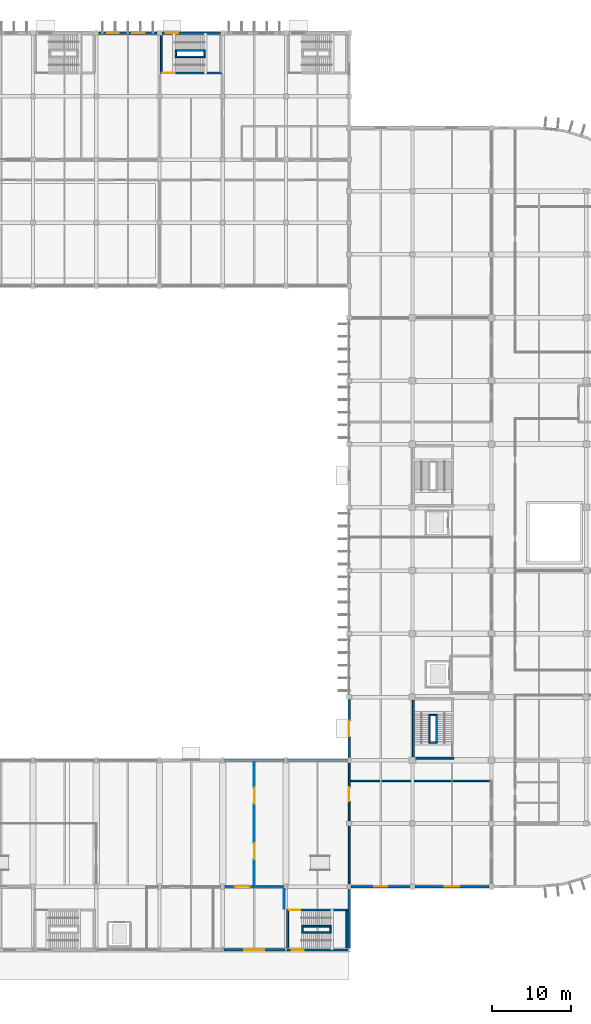
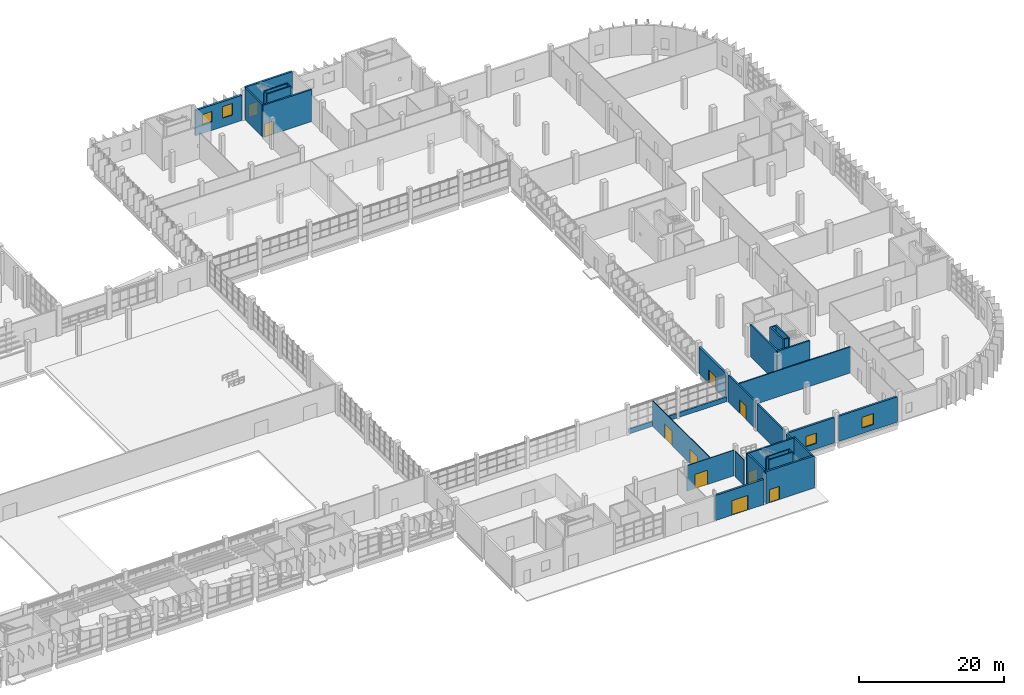
# One storey, part 79 of 103: 35 walls, 10 doors, 4 windows, 14 openings.
"""IFC4 building model written with IfcOpenShell, lengths in metres."""

from ifc_helpers import new_model, si_unit, direction, frame, frame_2d, origin, place, context, subcontext, project, spatial, rectangle, extrude, material, layer, layer_set, type_object, element, fill, save


model = new_model("IFC4")

# Units and contexts
model_context = context("Model", 3, precision=1e-05, world=origin(), true_north=direction((0.0, 1.0)))
body_context = subcontext(model_context, "Body", "Model", "MODEL_VIEW")
ifc_project = project(units=[si_unit("LENGTHUNIT", "METRE"), si_unit("AREAUNIT", "SQUARE_METRE"), si_unit("VOLUMEUNIT", "CUBIC_METRE"), si_unit("PLANEANGLEUNIT", "RADIAN"), si_unit("MASSUNIT", "GRAM", prefix="KILO")], contexts=[model_context])

# Site, building, storey
site_placement = place(None, origin())
site = spatial("IfcSite", under=ifc_project, at=site_placement, CompositionType="ELEMENT")
building_placement = place(site_placement, origin())
building = spatial("IfcBuilding", under=site, at=building_placement, Name="Drelvana Railside Aquatics Centre", CompositionType="ELEMENT")
storey_placement = place(building_placement, origin())
storey = spatial("IfcBuildingStorey", under=building, at=storey_placement, Name="L00", CompositionType="ELEMENT", Elevation=0.0)

# Walls
ifc_material_1 = material(Name="Concrete blockwork compartment wall", Category="masonry")
ifc_layer_1 = layer(ifc_material_1, 0.18505859375, Name="Concrete blockwork compartment wall")
ifc_layer_set_1 = layer_set([ifc_layer_1], Name="Concrete blockwork compartment wall")
wall_type_1 = type_object("IfcWallType", Name="WL-COMP-185", PredefinedType="STANDARD", material=ifc_layer_set_1)
wall_1_placement = place(storey_placement, frame((144.14990234375, 21.39990234375, 0.0), z_axis=(0.0, 0.0, 1.0), x_axis=(1.0, 0.0, 0.0)))
element("IfcWall", 1, at=wall_1_placement, inside=storey, type_object=wall_type_1, Name="L00 West exit passage S wall", PredefinedType="STANDARD", context=body_context, shape_type="SweptSolid", body=[
    extrude(rectangle(XDim=17.85009765625, YDim=0.18505859375, at=frame_2d((8.925048828125, 0.0))), origin(), (0.0, 0.0, 1.0), 4.405029296875),
])
ifc_material_2 = material(Name="Autoclaved aerated concrete masonry", Category="masonry")
ifc_layer_2 = layer(ifc_material_2, 0.22509765625, Name="Autoclaved aerated concrete masonry")
ifc_layer_set_2 = layer_set([ifc_layer_2], Name="Autoclaved aerated concrete masonry")
wall_type_2 = type_object("IfcWallType", Name="WL-COMP-225", PredefinedType="STANDARD", material=ifc_layer_set_2)
wall_2_placement = place(storey_placement, frame((144.0, 8.326904296875, 0.0), z_axis=(0.0, 0.0, 1.0), x_axis=(0.0, 1.0, 0.0)))
element("IfcWall", 2, at=wall_2_placement, inside=storey, type_object=wall_type_2, Name="L00 Foyer-Wing compartment wall", PredefinedType="STANDARD", context=body_context, shape_type="SweptSolid", body=[
    extrude(rectangle(XDim=7.34619140625, YDim=0.22509765625, at=frame_2d((3.673095703125, 0.0))), origin(), (0.0, 0.0, 1.0), 4.554931640625),
])

# Wall, opening, door
wall_3_placement = place(storey_placement, frame((144.0, 16.326904296875, 0.0), z_axis=(0.0, 0.0, 1.0), x_axis=(0.0, 1.0, 0.0)))
wall_3 = element("IfcWall", 3, at=wall_3_placement, inside=storey, type_object=wall_type_2, Name="L00 Foyer-Wing compartment wall", PredefinedType="STANDARD", context=body_context, shape_type="SweptSolid", body=[
    extrude(rectangle(XDim=7.34619140625, YDim=0.22509765625, at=frame_2d((3.673095703125, 0.0))), origin(), (0.0, 0.0, 1.0), 4.554931640625),
])
opening_1_placement = place(wall_3_placement, frame((2.472900390625, 0.0, 0.0)))
opening_1 = element("IfcOpeningElement", 4, at=opening_1_placement, cuts=wall_3, Name="Opening D-05-103", PredefinedType="OPENING", context=body_context, shape_type="SweptSolid", body=[
    extrude(rectangle(XDim=1.800048828125, YDim=2.300048828125, at=frame_2d((0.89990234375, 1.14990234375))), frame((0.0, 0.12255859375, 0.0), z_axis=(0.0, -1.0, 0.0), x_axis=(1.0, 0.0, 0.0)), (0.0, 0.0, 1.0), 0.2451171875),
])
ifc_material_3 = material(Name="Corridor compartment double door", Category="wood")
door_type_1 = type_object("IfcDoorType", Name="DR-INT-COMP-1800x2300", OperationType="DOUBLE_DOOR_SINGLE_SWING", PredefinedType="DOOR", material=ifc_material_3)
door_1_placement = place(opening_1_placement, origin())
door_1 = element("IfcDoor", 5, at=door_1_placement, inside=storey, type_object=door_type_1, Name="L00 Foyer to Wing link door D-05-103", OperationType="DOUBLE_DOOR_SINGLE_SWING", OverallHeight=2.300048828125, OverallWidth=1.800048828125, PredefinedType="DOOR", context=body_context, shape_type="SweptSolid", body=[
    extrude(rectangle(XDim=1.800048828125, YDim=2.300048828125, at=frame_2d((0.89990234375, 1.14990234375))), frame((0.0, 0.02490234375, 0.0), z_axis=(0.0, -1.0, 0.0), x_axis=(1.0, 0.0, 0.0)), (0.0, 0.0, 1.0), 0.050048828125),
])
fill(opening_1, door_1)

ifc_material_4 = material(Name="Concrete C40/50", Category="concrete")
ifc_layer_3 = layer(ifc_material_4, 0.25, Name="Concrete C40/50")
ifc_layer_set_3 = layer_set([ifc_layer_3], Name="Concrete C40/50")
wall_type_3 = type_object("IfcWallType", Name="WL-CORE-250", PredefinedType="SHEAR", material=ifc_layer_set_3)
wall_4_placement = place(storey_placement, frame((120.10009765625, 110.925048828125, 0.0), z_axis=(0.0, 0.0, 1.0), x_axis=(1.0, 0.0, 0.0)))
wall_4 = element("IfcWall", 6, at=wall_4_placement, inside=storey, type_object=wall_type_3, Name="Core 5 Changing Pavilion North S core wall (L00)", PredefinedType="SHEAR", context=body_context, shape_type="SweptSolid", body=[
    extrude(rectangle(XDim=7.7998046875, YDim=0.25, at=frame_2d((3.89990234375, 0.0))), origin(), (0.0, 0.0, 1.0), 5.39990234375),
])
opening_2_placement = place(wall_4_placement, frame((0.25, 0.0, 0.0)))
opening_2 = element("IfcOpeningElement", 7, at=opening_2_placement, cuts=wall_4, Name="Opening D-01-032", PredefinedType="OPENING", context=body_context, shape_type="SweptSolid", body=[
    extrude(rectangle(XDim=1.449951171875, YDim=2.199951171875, at=frame_2d((0.72509765625, 1.10009765625))), frame((0.0, 0.135009765625, 0.0), z_axis=(0.0, -1.0, 0.0), x_axis=(1.0, 0.0, 0.0)), (0.0, 0.0, 1.0), 0.27001953125),
])
ifc_material_5 = material(Name="Fire-rated steel and vision-panel door", Category="steel")
door_type_2 = type_object("IfcDoorType", Name="DR-INT-STAIR-1450x2200", OperationType="DOUBLE_DOOR_SINGLE_SWING", PredefinedType="DOOR", material=ifc_material_5)
door_2_placement = place(opening_2_placement, origin())
door_2 = element("IfcDoor", 8, at=door_2_placement, inside=storey, type_object=door_type_2, Name="Stair ST-05 lobby door D-01-032", OperationType="DOUBLE_DOOR_SINGLE_SWING", OverallHeight=2.199951171875, OverallWidth=1.449951171875, PredefinedType="DOOR", context=body_context, shape_type="SweptSolid", body=[
    extrude(rectangle(XDim=1.449951171875, YDim=2.199951171875, at=frame_2d((0.72509765625, 1.10009765625))), frame((0.0, 0.02490234375, 0.0), z_axis=(0.0, -1.0, 0.0), x_axis=(1.0, 0.0, 0.0)), (0.0, 0.0, 1.0), 0.050048828125),
])
fill(opening_2, door_2)

# Walls
wall_5_placement = place(storey_placement, frame((120.22509765625, 111.050048828125, 0.0), z_axis=(0.0, 0.0, 1.0), x_axis=(0.0, 1.0, 0.0)))
element("IfcWall", 9, at=wall_5_placement, inside=storey, type_object=wall_type_3, Name="Core 5 Changing Pavilion North W core wall (L00)", PredefinedType="SHEAR", context=body_context, shape_type="SweptSolid", body=[
    extrude(rectangle(XDim=4.699951171875, YDim=0.25, at=frame_2d((2.35009765625, 0.0))), origin(), (0.0, 0.0, 1.0), 5.39990234375),
])
wall_6_placement = place(storey_placement, frame((152.0, 24.284912109375, 0.0), z_axis=(0.0, 0.0, 1.0), x_axis=(1.0, 0.0, 0.0)))
element("IfcWall", 10, at=wall_6_placement, inside=storey, type_object=wall_type_3, Name="Core 6 Federation Wing Court-West S core wall (L00)", PredefinedType="SHEAR", context=body_context, shape_type="SweptSolid", body=[
    extrude(rectangle(XDim=5.199951171875, YDim=0.25, at=frame_2d((2.60009765625, 0.0))), origin(), (0.0, 0.0, 1.0), 5.39990234375),
])
wall_7_placement = place(storey_placement, frame((152.125, 24.409912109375, 0.0), z_axis=(0.0, 0.0, 1.0), x_axis=(0.0, 1.0, 0.0)))
element("IfcWall", 11, at=wall_7_placement, inside=storey, type_object=wall_type_3, Name="Core 6 Federation Wing Court-West W core wall (L00)", PredefinedType="SHEAR", context=body_context, shape_type="SweptSolid", body=[
    extrude(rectangle(XDim=7.239990234375, YDim=0.25, at=frame_2d((3.6201171875, 0.0))), origin(), (0.0, 0.0, 1.0), 5.39990234375),
])

# Wall, opening, door
wall_8_placement = place(storey_placement, frame((136.10009765625, 5.074951171875, 0.0), z_axis=(0.0, 0.0, 1.0), x_axis=(1.0, 0.0, 0.0)))
wall_8 = element("IfcWall", 12, at=wall_8_placement, inside=storey, type_object=wall_type_3, Name="Core 10 Entrance Foyer East N core wall (L00)", PredefinedType="SHEAR", context=body_context, shape_type="SweptSolid", body=[
    extrude(rectangle(XDim=7.739990234375, YDim=0.25, at=frame_2d((3.8701171875, 0.0))), origin(), (0.0, 0.0, 1.0), 5.39990234375),
])
opening_3_placement = place(wall_8_placement, frame((0.25, 0.0, 0.0)))
opening_3 = element("IfcOpeningElement", 13, at=opening_3_placement, cuts=wall_8, Name="Opening D-01-089", PredefinedType="OPENING", context=body_context, shape_type="SweptSolid", body=[
    extrude(rectangle(XDim=1.449951171875, YDim=2.199951171875, at=frame_2d((0.72509765625, 1.10009765625))), frame((0.0, 0.135009765625, 0.0), z_axis=(0.0, -1.0, 0.0), x_axis=(1.0, 0.0, 0.0)), (0.0, 0.0, 1.0), 0.27001953125),
])
door_3_placement = place(opening_3_placement, origin())
door_3 = element("IfcDoor", 14, at=door_3_placement, inside=storey, type_object=door_type_2, Name="Stair ST-10 lobby door D-01-089", OperationType="DOUBLE_DOOR_SINGLE_SWING", OverallHeight=2.199951171875, OverallWidth=1.449951171875, PredefinedType="DOOR", context=body_context, shape_type="SweptSolid", body=[
    extrude(rectangle(XDim=1.449951171875, YDim=2.199951171875, at=frame_2d((0.72509765625, 1.10009765625))), frame((0.0, 0.02490234375, 0.0), z_axis=(0.0, -1.0, 0.0), x_axis=(1.0, 0.0, 0.0)), (0.0, 0.0, 1.0), 0.050048828125),
])
fill(opening_3, door_3)

# Walls
for number, where, z_axis, x_axis, name in (
    (15, (136.22509765625, 0.25, 0.0), (0.0, 0.0, 1.0), (0.0, 1.0, 0.0), "Core 10 Entrance Foyer East W core wall (L00)"),
    (16, (143.715087890625, 0.25, 0.0), (0.0, 0.0, 1.0), (0.0, 1.0, 0.0), "Core 10 Entrance Foyer East E core wall (L00)"),
):
    element("IfcWall", number, at=place(storey_placement, frame(where, z_axis=z_axis, x_axis=x_axis)), inside=storey, type_object=wall_type_3, Name=name, PredefinedType="SHEAR", context=body_context, shape_type="SweptSolid", body=[
        extrude(rectangle(XDim=4.699951171875, YDim=0.25, at=frame_2d((2.35009765625, 0.0))), origin(), (0.0, 0.0, 1.0), 5.39990234375),
    ])

# Wall, opening, door
ifc_layer_4 = layer(ifc_material_4, 0.300048828125, Name="Concrete C40/50")
ifc_layer_set_4 = layer_set([ifc_layer_4], Name="Concrete C40/50")
wall_type_4 = type_object("IfcWallType", Name="WL-CORE-300", PredefinedType="SHEAR", material=ifc_layer_set_4)
wall_9_placement = place(storey_placement, frame((136.14599609375, 0.0, 0.0), z_axis=(0.0, 0.0, 1.0), x_axis=(1.0, 0.0, 0.0)))
wall_9 = element("IfcWall", 17, at=wall_9_placement, inside=storey, type_object=wall_type_4, Name="Core south L00 shear wall 136", PredefinedType="SHEAR", context=body_context, shape_type="SweptSolid", body=[
    extrude(rectangle(XDim=7.7080078125, YDim=0.300048828125, at=frame_2d((3.85400390625, 0.0))), origin(), (0.0, 0.0, 1.0), 5.39990234375),
])
opening_4_placement = place(wall_9_placement, frame((0.583984375, 0.0, 0.0)))
opening_4 = element("IfcOpeningElement", 18, at=opening_4_placement, cuts=wall_9, Name="Opening EX-03-013", PredefinedType="OPENING", context=body_context, shape_type="SweptSolid", body=[
    extrude(rectangle(XDim=1.550048828125, YDim=2.199951171875, at=frame_2d((0.77490234375, 1.10009765625))), frame((0.0, 0.159912109375, 0.0), z_axis=(0.0, -1.0, 0.0), x_axis=(1.0, 0.0, 0.0)), (0.0, 0.0, 1.0), 0.320068359375),
])
ifc_material_6 = material(Name="Thermally broken bronze-anodised aluminium and glazed door", Category="aluminium")
door_type_3 = type_object("IfcDoorType", Name="DR-EXT-EXIT-1550x2200", OperationType="DOUBLE_DOOR_SINGLE_SWING", PredefinedType="DOOR", material=ifc_material_6)
door_4_placement = place(opening_4_placement, frame((1.550048828125, 0.0, 0.0), z_axis=(0.0, 0.0, 1.0), x_axis=(-1.0, 0.0, 0.0)))
door_4 = element("IfcDoor", 19, at=door_4_placement, inside=storey, type_object=door_type_3, Name="Stair final exit door 136 EX-03-013", OperationType="DOUBLE_DOOR_SINGLE_SWING", OverallHeight=2.199951171875, OverallWidth=1.550048828125, PredefinedType="DOOR", context=body_context, shape_type="SweptSolid", body=[
    extrude(rectangle(XDim=1.550048828125, YDim=2.199951171875, at=frame_2d((0.77490234375, 1.10009765625))), frame((0.0, 0.02490234375, 0.0), z_axis=(0.0, -1.0, 0.0), x_axis=(1.0, 0.0, 0.0)), (0.0, 0.0, 1.0), 0.050048828125),
])
fill(opening_4, door_4)

wall_10_placement = place(storey_placement, frame((120.2958984375, 116.0, 0.0), z_axis=(0.0, 0.0, 1.0), x_axis=(1.0, 0.0, 0.0)))
wall_10 = element("IfcWall", 20, at=wall_10_placement, inside=storey, type_object=wall_type_4, Name="Core 5 north L00 shear wall", PredefinedType="SHEAR", context=body_context, shape_type="SweptSolid", body=[
    extrude(rectangle(XDim=7.408203125, YDim=0.300048828125, at=frame_2d((3.7041015625, 0.0))), origin(), (0.0, 0.0, 1.0), 5.39990234375),
])
opening_5_placement = place(wall_10_placement, frame((0.50390625, 0.0, 0.0)))
opening_5 = element("IfcOpeningElement", 21, at=opening_5_placement, cuts=wall_10, Name="Opening EX-03-015", PredefinedType="OPENING", context=body_context, shape_type="SweptSolid", body=[
    extrude(rectangle(XDim=1.550048828125, YDim=2.199951171875, at=frame_2d((0.77490234375, 1.10009765625))), frame((0.0, 0.159912109375, 0.0), z_axis=(0.0, -1.0, 0.0), x_axis=(1.0, 0.0, 0.0)), (0.0, 0.0, 1.0), 0.320068359375),
])
door_5_placement = place(opening_5_placement, origin())
door_5 = element("IfcDoor", 22, at=door_5_placement, inside=storey, type_object=door_type_3, Name="Stair ST-05 final exit door EX-03-015", OperationType="DOUBLE_DOOR_SINGLE_SWING", OverallHeight=2.199951171875, OverallWidth=1.550048828125, PredefinedType="DOOR", context=body_context, shape_type="SweptSolid", body=[
    extrude(rectangle(XDim=1.550048828125, YDim=2.199951171875, at=frame_2d((0.77490234375, 1.10009765625))), frame((0.0, 0.02490234375, 0.0), z_axis=(0.0, -1.0, 0.0), x_axis=(1.0, 0.0, 0.0)), (0.0, 0.0, 1.0), 0.050048828125),
])
fill(opening_5, door_5)

ifc_material_7 = material(Name="Acoustic twin-stud gypsum partition", Category="gypsum")
ifc_layer_5 = layer(ifc_material_7, 0.1201171875, Name="Acoustic twin-stud gypsum partition")
ifc_layer_set_5 = layer_set([ifc_layer_5], Name="Acoustic twin-stud gypsum partition")
wall_type_5 = type_object("IfcWallType", Name="WL-DRY-120", PredefinedType="PARTITIONING", material=ifc_layer_set_5)
wall_11_placement = place(storey_placement, frame((128.22705078125, 8.0, 0.0), z_axis=(0.0, 0.0, 1.0), x_axis=(1.0, 0.0, 0.0)))
wall_11 = element("IfcWall", 23, at=wall_11_placement, inside=storey, type_object=wall_type_5, Name="Entrance Foyer south retail wall", PredefinedType="PARTITIONING", context=body_context, shape_type="SweptSolid", body=[
    extrude(rectangle(XDim=7.5458984375, YDim=0.1201171875, at=frame_2d((3.77294921875, 0.0))), origin(), (0.0, 0.0, 1.0), 4.304931640625),
])
opening_6_placement = place(wall_11_placement, frame((1.27294921875, 0.0, 0.0)))
opening_6 = element("IfcOpeningElement", 24, at=opening_6_placement, cuts=wall_11, Name="Opening D-06-138", PredefinedType="OPENING", context=body_context, shape_type="SweptSolid", body=[
    extrude(rectangle(XDim=2.0, YDim=2.39990234375, at=frame_2d((1.0, 1.199951171875))), frame((0.0, 0.070068359375, 0.0), z_axis=(0.0, -1.0, 0.0), x_axis=(1.0, 0.0, 0.0)), (0.0, 0.0, 1.0), 0.14013671875),
])
ifc_material_8 = material(Name="Glazed bronze-aluminium concourse door", Category="aluminium")
door_type_4 = type_object("IfcDoorType", Name="DR-INT-HALL-2000x2400", OperationType="DOUBLE_DOOR_SINGLE_SWING", PredefinedType="DOOR", material=ifc_material_8)
door_6_placement = place(opening_6_placement, origin())
door_6 = element("IfcDoor", 25, at=door_6_placement, inside=storey, type_object=door_type_4, Name="Aquatics Shop entrance door D-06-138", OperationType="DOUBLE_DOOR_SINGLE_SWING", OverallHeight=2.39990234375, OverallWidth=2.0, PredefinedType="DOOR", context=body_context, shape_type="SweptSolid", body=[
    extrude(rectangle(XDim=2.0, YDim=2.39990234375, at=frame_2d((1.0, 1.199951171875))), frame((0.0, 0.02490234375, 0.0), z_axis=(0.0, -1.0, 0.0), x_axis=(1.0, 0.0, 0.0)), (0.0, 0.0, 1.0), 0.050048828125),
])
fill(opening_6, door_6)

# Wall
wall_12_placement = place(storey_placement, frame((135.800048828125, 5.201904296875, 0.0), z_axis=(0.0, 0.0, 1.0), x_axis=(0.0, 1.0, 0.0)))
element("IfcWall", 26, at=wall_12_placement, inside=storey, type_object=wall_type_5, Name="Foyer retail divider", PredefinedType="PARTITIONING", context=body_context, shape_type="SweptSolid", body=[
    extrude(rectangle(XDim=2.47119140625, YDim=0.1201171875, at=frame_2d((1.235595703125, 0.0))), origin(), (0.0, 0.0, 1.0), 4.304931640625),
])

# Wall, openings, doors
wall_13_placement = place(storey_placement, frame((132.0, 8.0, 0.0), z_axis=(0.0, 0.0, 1.0), x_axis=(0.0, 1.0, 0.0)))
wall_13 = element("IfcWall", 27, at=wall_13_placement, inside=storey, type_object=wall_type_5, Name="Community Meeting Room west wall", PredefinedType="PARTITIONING", context=body_context, shape_type="SweptSolid", body=[
    extrude(rectangle(XDim=15.860107421875, YDim=0.1201171875, at=frame_2d((7.93017578125, 0.0))), origin(), (0.0, 0.0, 1.0), 4.304931640625),
])
opening_7_placement = place(wall_13_placement, frame((3.5, 0.0, 0.0)))
opening_7 = element("IfcOpeningElement", 28, at=opening_7_placement, cuts=wall_13, Name="Opening D-06-139", PredefinedType="OPENING", context=body_context, shape_type="SweptSolid", body=[
    extrude(rectangle(XDim=2.0, YDim=2.39990234375, at=frame_2d((1.0, 1.199951171875))), frame((0.0, 0.070068359375, 0.0), z_axis=(0.0, -1.0, 0.0), x_axis=(1.0, 0.0, 0.0)), (0.0, 0.0, 1.0), 0.14013671875),
])
opening_8_placement = place(wall_13_placement, frame((10.5, 0.0, 0.0)))
opening_8 = element("IfcOpeningElement", 29, at=opening_8_placement, cuts=wall_13, Name="Opening D-06-140", PredefinedType="OPENING", context=body_context, shape_type="SweptSolid", body=[
    extrude(rectangle(XDim=2.0, YDim=2.39990234375, at=frame_2d((1.0, 1.199951171875))), frame((0.0, 0.070068359375, 0.0), z_axis=(0.0, -1.0, 0.0), x_axis=(1.0, 0.0, 0.0)), (0.0, 0.0, 1.0), 0.14013671875),
])
door_7_placement = place(opening_7_placement, origin())
door_7 = element("IfcDoor", 30, at=door_7_placement, inside=storey, type_object=door_type_4, Name="Community Meeting Room south door D-06-139", OperationType="DOUBLE_DOOR_SINGLE_SWING", OverallHeight=2.39990234375, OverallWidth=2.0, PredefinedType="DOOR", context=body_context, shape_type="SweptSolid", body=[
    extrude(rectangle(XDim=2.0, YDim=2.39990234375, at=frame_2d((1.0, 1.199951171875))), frame((0.0, 0.02490234375, 0.0), z_axis=(0.0, -1.0, 0.0), x_axis=(1.0, 0.0, 0.0)), (0.0, 0.0, 1.0), 0.050048828125),
])
fill(opening_7, door_7)
door_8_placement = place(opening_8_placement, origin())
door_8 = element("IfcDoor", 31, at=door_8_placement, inside=storey, type_object=door_type_4, Name="Community Meeting Room north door D-06-140", OperationType="DOUBLE_DOOR_SINGLE_SWING", OverallHeight=2.39990234375, OverallWidth=2.0, PredefinedType="DOOR", context=body_context, shape_type="SweptSolid", body=[
    extrude(rectangle(XDim=2.0, YDim=2.39990234375, at=frame_2d((1.0, 1.199951171875))), frame((0.0, 0.02490234375, 0.0), z_axis=(0.0, -1.0, 0.0), x_axis=(1.0, 0.0, 0.0)), (0.0, 0.0, 1.0), 0.050048828125),
])
fill(opening_8, door_8)

# Walls
ifc_material_9 = material(Name="Glazed ceramic spandrel wall", Category="masonry")
ifc_layer_6 = layer(ifc_material_9, 0.27001953125, Name="Glazed ceramic spandrel wall")
ifc_layer_set_6 = layer_set([ifc_layer_6], Name="Glazed ceramic spandrel wall")
wall_type_6 = type_object("IfcWallType", Name="WL-EXT-270", PredefinedType="STANDARD", material=ifc_layer_set_6)
for number, where, z_axis, x_axis, name in (
    (32, (128.220947265625, 24.0, 0.0), (0.0, 0.0, 1.0), (1.0, 0.0, 0.0), "Foyer court plinth"),
    (33, (136.220947265625, 24.0, 0.0), (0.0, 0.0, 1.0), (1.0, 0.0, 0.0), "Foyer court plinth"),
):
    element("IfcWall", number, at=place(storey_placement, frame(where, z_axis=z_axis, x_axis=x_axis)), inside=storey, type_object=wall_type_6, Name=name, PredefinedType="STANDARD", context=body_context, shape_type="SweptSolid", body=[
        extrude(rectangle(XDim=7.55810546875, YDim=0.27001953125, at=frame_2d((3.779052734375, 0.0))), origin(), (0.0, 0.0, 1.0), 0.800048828125),
    ])

# Wall, opening, door
ifc_material_10 = material(Name="Terracotta rainscreen masonry wall", Category="masonry")
ifc_layer_7 = layer(ifc_material_10, 0.31005859375, Name="Terracotta rainscreen masonry wall")
ifc_layer_set_7 = layer_set([ifc_layer_7], Name="Terracotta rainscreen masonry wall")
wall_type_7 = type_object("IfcWallType", Name="WL-EXT-310", PredefinedType="STANDARD", material=ifc_layer_set_7)
wall_14_placement = place(storey_placement, frame((128.14599609375, 0.0, 0.0), z_axis=(0.0, 0.0, 1.0), x_axis=(1.0, 0.0, 0.0)))
wall_14 = element("IfcWall", 34, at=wall_14_placement, inside=storey, type_object=wall_type_7, Name="Main entrance portal wall 128", PredefinedType="STANDARD", context=body_context, shape_type="SweptSolid", body=[
    extrude(rectangle(XDim=7.7080078125, YDim=0.31005859375, at=frame_2d((3.85400390625, 0.0))), origin(), (0.0, 0.0, 1.0), 4.25),
])
opening_9_placement = place(wall_14_placement, frame((2.60400390625, 0.0, 0.0)))
opening_9 = element("IfcOpeningElement", 35, at=opening_9_placement, cuts=wall_14, Name="Opening EX-09-012", PredefinedType="OPENING", context=body_context, shape_type="SweptSolid", body=[
    extrude(rectangle(XDim=2.5, YDim=2.449951171875, at=frame_2d((1.25, 1.22509765625))), frame((0.0, 0.1650390625, 0.0), z_axis=(0.0, -1.0, 0.0), x_axis=(1.0, 0.0, 0.0)), (0.0, 0.0, 1.0), 0.330078125),
])
door_type_5 = type_object("IfcDoorType", Name="DR-EXT-MAIN-2500x2450", OperationType="DOUBLE_DOOR_SINGLE_SWING", PredefinedType="DOOR", material=ifc_material_6)
door_9_placement = place(opening_9_placement, frame((2.5, 0.0, 0.0), z_axis=(0.0, 0.0, 1.0), x_axis=(-1.0, 0.0, 0.0)))
door_9 = element("IfcDoor", 36, at=door_9_placement, inside=storey, type_object=door_type_5, Name="Main public entrance door EX-09-012", OperationType="DOUBLE_DOOR_SINGLE_SWING", OverallHeight=2.449951171875, OverallWidth=2.5, PredefinedType="DOOR", context=body_context, shape_type="SweptSolid", body=[
    extrude(rectangle(XDim=2.5, YDim=2.449951171875, at=frame_2d((1.25, 1.22509765625))), frame((0.0, 0.02490234375, 0.0), z_axis=(0.0, -1.0, 0.0), x_axis=(1.0, 0.0, 0.0)), (0.0, 0.0, 1.0), 0.050048828125),
])
fill(opening_9, door_9)

# Wall
wall_15_placement = place(storey_placement, frame((144.0, 0.196044921875, 0.0), z_axis=(0.0, 0.0, 1.0), x_axis=(0.0, 1.0, 0.0)))
element("IfcWall", 37, at=wall_15_placement, inside=storey, type_object=wall_type_7, Name="Foyer side gable wall", PredefinedType="STANDARD", context=body_context, shape_type="SweptSolid", body=[
    extrude(rectangle(XDim=7.48291015625, YDim=0.31005859375, at=frame_2d((3.741455078125, 0.0))), origin(), (0.0, 0.0, 1.0), 4.304931640625),
])

# Wall, opening, window
wall_16_placement = place(storey_placement, frame((144.220947265625, 8.0, 0.0), z_axis=(0.0, 0.0, 1.0), x_axis=(1.0, 0.0, 0.0)))
wall_16 = element("IfcWall", 38, at=wall_16_placement, inside=storey, type_object=wall_type_7, Name="V5 L00 end bay wall", PredefinedType="STANDARD", context=body_context, shape_type="SweptSolid", body=[
    extrude(rectangle(XDim=7.4580078125, YDim=0.31005859375, at=frame_2d((3.72900390625, 0.0))), origin(), (0.0, 0.0, 1.0), 4.25),
])
opening_10_placement = place(wall_16_placement, frame((2.9541015625, 0.0, 0.949951171875)))
opening_10 = element("IfcOpeningElement", 39, at=opening_10_placement, cuts=wall_16, Name="Opening W-20", PredefinedType="OPENING", context=body_context, shape_type="SweptSolid", body=[
    extrude(rectangle(XDim=1.64990234375, YDim=1.699951171875, at=frame_2d((0.824951171875, 0.85009765625))), frame((0.0, 0.1650390625, 0.0), z_axis=(0.0, -1.0, 0.0), x_axis=(1.0, 0.0, 0.0)), (0.0, 0.0, 1.0), 0.330078125),
])
ifc_material_11 = material(Name="Double-glazed solar-control aluminium window", Category="aluminium")
window_type_1 = type_object("IfcWindowType", Name="WIN-20", PartitioningType="SINGLE_PANEL", PredefinedType="WINDOW", material=ifc_material_11)
window_1_placement = place(opening_10_placement, origin())
window_1 = element("IfcWindow", 40, at=window_1_placement, inside=storey, type_object=window_type_1, Name="V5 L00 end window WIN-20", OverallHeight=1.699951171875, OverallWidth=1.64990234375, PartitioningType="SINGLE_PANEL", PredefinedType="WINDOW", context=body_context, shape_type="SweptSolid", body=[
    extrude(rectangle(XDim=1.64990234375, YDim=1.699951171875, at=frame_2d((0.824951171875, 0.85009765625))), frame((0.0, 0.030029296875, 0.0), z_axis=(0.0, -1.0, 0.0), x_axis=(1.0, 0.0, 0.0)), (0.0, 0.0, 1.0), 0.06005859375),
])
fill(opening_10, window_1)

wall_17_placement = place(storey_placement, frame((152.321044921875, 8.0, 0.0), z_axis=(0.0, 0.0, 1.0), x_axis=(1.0, 0.0, 0.0)))
wall_17 = element("IfcWall", 41, at=wall_17_placement, inside=storey, type_object=wall_type_7, Name="V5 L00 end bay wall", PredefinedType="STANDARD", context=body_context, shape_type="SweptSolid", body=[
    extrude(rectangle(XDim=9.35791015625, YDim=0.31005859375, at=frame_2d((4.678955078125, 0.0))), origin(), (0.0, 0.0, 1.0), 4.25),
])
opening_11_placement = place(wall_17_placement, frame((3.779052734375, 0.0, 0.949951171875)))
opening_11 = element("IfcOpeningElement", 42, at=opening_11_placement, cuts=wall_17, Name="Opening W-22", PredefinedType="OPENING", context=body_context, shape_type="SweptSolid", body=[
    extrude(rectangle(XDim=1.800048828125, YDim=1.800048828125, at=frame_2d((0.89990234375, 0.89990234375))), frame((0.0, 0.1650390625, 0.0), z_axis=(0.0, -1.0, 0.0), x_axis=(1.0, 0.0, 0.0)), (0.0, 0.0, 1.0), 0.330078125),
])
window_type_2 = type_object("IfcWindowType", Name="WIN-22", PartitioningType="SINGLE_PANEL", PredefinedType="WINDOW", material=ifc_material_11)
window_2_placement = place(opening_11_placement, origin())
window_2 = element("IfcWindow", 43, at=window_2_placement, inside=storey, type_object=window_type_2, Name="V5 L00 end window WIN-22", OverallHeight=1.800048828125, OverallWidth=1.800048828125, PartitioningType="SINGLE_PANEL", PredefinedType="WINDOW", context=body_context, shape_type="SweptSolid", body=[
    extrude(rectangle(XDim=1.800048828125, YDim=1.800048828125, at=frame_2d((0.89990234375, 0.89990234375))), frame((0.0, 0.030029296875, 0.0), z_axis=(0.0, -1.0, 0.0), x_axis=(1.0, 0.0, 0.0)), (0.0, 0.0, 1.0), 0.06005859375),
])
fill(opening_11, window_2)

# Wall, openings, windows
ifc_material_12 = material(Name="Abuja granite ashlar cavity wall", Category="masonry")
ifc_layer_8 = layer(ifc_material_12, 0.330078125, Name="Abuja granite ashlar cavity wall")
ifc_layer_set_8 = layer_set([ifc_layer_8], Name="Abuja granite ashlar cavity wall")
wall_type_8 = type_object("IfcWallType", Name="WL-EXT-330", PredefinedType="STANDARD", material=ifc_layer_set_8)
wall_18_placement = place(storey_placement, frame((112.2958984375, 116.0, 0.0), z_axis=(0.0, 0.0, 1.0), x_axis=(1.0, 0.0, 0.0)))
wall_18 = element("IfcWall", 44, at=wall_18_placement, inside=storey, type_object=wall_type_8, Name="Changing north wall 112", PredefinedType="STANDARD", context=body_context, shape_type="SweptSolid", body=[
    extrude(rectangle(XDim=7.408203125, YDim=0.330078125, at=frame_2d((3.7041015625, 0.0))), origin(), (0.0, 0.0, 1.0), 4.25),
])
opening_12_placement = place(wall_18_placement, frame((1.083984375, 0.0, 1.449951171875)))
opening_12 = element("IfcOpeningElement", 45, at=opening_12_placement, cuts=wall_18, Name="Opening W-17", PredefinedType="OPENING", context=body_context, shape_type="SweptSolid", body=[
    extrude(rectangle(XDim=1.5, YDim=1.75, at=frame_2d((0.75, 0.875))), frame((0.0, 0.175048828125, 0.0), z_axis=(0.0, -1.0, 0.0), x_axis=(1.0, 0.0, 0.0)), (0.0, 0.0, 1.0), 0.35009765625),
])
opening_13_placement = place(wall_18_placement, frame((4.283935546875, 0.0, 1.449951171875)))
opening_13 = element("IfcOpeningElement", 46, at=opening_13_placement, cuts=wall_18, Name="Opening W-18", PredefinedType="OPENING", context=body_context, shape_type="SweptSolid", body=[
    extrude(rectangle(XDim=1.550048828125, YDim=1.949951171875, at=frame_2d((0.77490234375, 0.97509765625))), frame((0.0, 0.175048828125, 0.0), z_axis=(0.0, -1.0, 0.0), x_axis=(1.0, 0.0, 0.0)), (0.0, 0.0, 1.0), 0.35009765625),
])
window_type_3 = type_object("IfcWindowType", Name="WIN-17", PartitioningType="SINGLE_PANEL", PredefinedType="WINDOW", material=ifc_material_11)
window_3_placement = place(opening_12_placement, origin())
window_3 = element("IfcWindow", 47, at=window_3_placement, inside=storey, type_object=window_type_3, Name="Changing high-level window WIN-17", OverallHeight=1.75, OverallWidth=1.5, PartitioningType="SINGLE_PANEL", PredefinedType="WINDOW", context=body_context, shape_type="SweptSolid", body=[
    extrude(rectangle(XDim=1.5, YDim=1.75, at=frame_2d((0.75, 0.875))), frame((0.0, 0.030029296875, 0.0), z_axis=(0.0, -1.0, 0.0), x_axis=(1.0, 0.0, 0.0)), (0.0, 0.0, 1.0), 0.06005859375),
])
fill(opening_12, window_3)
window_type_4 = type_object("IfcWindowType", Name="WIN-18", PartitioningType="SINGLE_PANEL", PredefinedType="WINDOW", material=ifc_material_11)
window_4_placement = place(opening_13_placement, origin())
window_4 = element("IfcWindow", 48, at=window_4_placement, inside=storey, type_object=window_type_4, Name="Changing high-level window WIN-18", OverallHeight=1.949951171875, OverallWidth=1.550048828125, PartitioningType="SINGLE_PANEL", PredefinedType="WINDOW", context=body_context, shape_type="SweptSolid", body=[
    extrude(rectangle(XDim=1.550048828125, YDim=1.949951171875, at=frame_2d((0.77490234375, 0.97509765625))), frame((0.0, 0.030029296875, 0.0), z_axis=(0.0, -1.0, 0.0), x_axis=(1.0, 0.0, 0.0)), (0.0, 0.0, 1.0), 0.06005859375),
])
fill(opening_13, window_4)

# Wall, opening, door
wall_19_placement = place(storey_placement, frame((144.0, 24.321044921875, 0.0), z_axis=(0.0, 0.0, 1.0), x_axis=(0.0, 1.0, 0.0)))
wall_19 = element("IfcWall", 49, at=wall_19_placement, inside=storey, type_object=wall_type_8, Name="V5 West rain-court exit bay 24", PredefinedType="STANDARD", context=body_context, shape_type="SweptSolid", body=[
    extrude(rectangle(XDim=7.35791015625, YDim=0.330078125, at=frame_2d((3.678955078125, 0.0))), origin(), (0.0, 0.0, 1.0), 4.449951171875),
])
opening_14_placement = place(wall_19_placement, frame((2.7041015625, 0.0, 0.0)))
opening_14 = element("IfcOpeningElement", 50, at=opening_14_placement, cuts=wall_19, Name="Opening EX-04-018", PredefinedType="OPENING", context=body_context, shape_type="SweptSolid", body=[
    extrude(rectangle(XDim=1.949951171875, YDim=2.25, at=frame_2d((0.97509765625, 1.125))), frame((0.0, 0.175048828125, 0.0), z_axis=(0.0, -1.0, 0.0), x_axis=(1.0, 0.0, 0.0)), (0.0, 0.0, 1.0), 0.35009765625),
])
door_type_6 = type_object("IfcDoorType", Name="DR-EXT-EXIT-1950x2250", OperationType="DOUBLE_DOOR_SINGLE_SWING", PredefinedType="DOOR", material=ifc_material_6)
door_10_placement = place(opening_14_placement, origin())
door_10 = element("IfcDoor", 51, at=door_10_placement, inside=storey, type_object=door_type_6, Name="Rain court wing exit door EX-04-018", OperationType="DOUBLE_DOOR_SINGLE_SWING", OverallHeight=2.25, OverallWidth=1.949951171875, PredefinedType="DOOR", context=body_context, shape_type="SweptSolid", body=[
    extrude(rectangle(XDim=1.949951171875, YDim=2.25, at=frame_2d((0.97509765625, 1.125))), frame((0.0, 0.02490234375, 0.0), z_axis=(0.0, -1.0, 0.0), x_axis=(1.0, 0.0, 0.0)), (0.0, 0.0, 1.0), 0.050048828125),
])
fill(opening_14, door_10)

# Walls
ifc_layer_9 = layer(ifc_material_4, 0.199951171875, Name="Concrete C40/50")
ifc_layer_set_9 = layer_set([ifc_layer_9], Name="Concrete C40/50")
wall_type_9 = type_object("IfcWallType", Name="WL-SHFT-200", PredefinedType="SHEAR", material=ifc_layer_set_9)
for number, where, z_axis, x_axis, name in (
    (52, (121.969970703125, 113.0, 0.0), (0.0, 0.0, 1.0), (1.0, 0.0, 0.0), "Stair ST-05 central spine wall A (L00)"),
    (53, (121.969970703125, 113.800048828125, 0.0), (0.0, 0.0, 1.0), (1.0, 0.0, 0.0), "Stair ST-05 central spine wall B (L00)"),
):
    element("IfcWall", number, at=place(storey_placement, frame(where, z_axis=z_axis, x_axis=x_axis)), inside=storey, type_object=wall_type_9, Name=name, PredefinedType="SHEAR", context=body_context, shape_type="SweptSolid", body=[
        extrude(rectangle(XDim=3.820068359375, YDim=0.199951171875, at=frame_2d((1.91015625, 0.0))), origin(), (0.0, 0.0, 1.0), 5.39990234375),
    ])
for number, where, z_axis, x_axis, name in (
    (54, (122.070068359375, 113.10009765625, 0.0), (0.0, 0.0, 1.0), (0.0, 1.0, 0.0), "Stair ST-05 central spine wall W (L00)"),
    (55, (125.68994140625, 113.10009765625, 0.0), (0.0, 0.0, 1.0), (0.0, 1.0, 0.0), "Stair ST-05 central spine wall E (L00)"),
):
    element("IfcWall", number, at=place(storey_placement, frame(where, z_axis=z_axis, x_axis=x_axis)), inside=storey, type_object=wall_type_9, Name=name, PredefinedType="SHEAR", context=body_context, shape_type="SweptSolid", body=[
        extrude(rectangle(XDim=0.599853515625, YDim=0.199951171875, at=frame_2d((0.2998046875, 0.0))), origin(), (0.0, 0.0, 1.0), 5.39990234375),
    ])
for number, where, z_axis, x_axis, name in (
    (56, (154.14990234375, 26.14990234375, 0.0), (0.0, 0.0, 1.0), (0.0, 1.0, 0.0), "Stair ST-06 central spine wall A (L00)"),
    (57, (155.050048828125, 26.14990234375, 0.0), (0.0, 0.0, 1.0), (0.0, 1.0, 0.0), "Stair ST-06 central spine wall B (L00)"),
):
    element("IfcWall", number, at=place(storey_placement, frame(where, z_axis=z_axis, x_axis=x_axis)), inside=storey, type_object=wall_type_9, Name=name, PredefinedType="SHEAR", context=body_context, shape_type="SweptSolid", body=[
        extrude(rectangle(XDim=3.66015625, YDim=0.199951171875, at=frame_2d((1.830078125, 0.0))), origin(), (0.0, 0.0, 1.0), 5.39990234375),
    ])
for number, where, z_axis, x_axis, name in (
    (58, (154.25, 26.25, 0.0), (0.0, 0.0, 1.0), (1.0, 0.0, 0.0), "Stair ST-06 central spine wall S (L00)"),
    (59, (154.25, 29.7099609375, 0.0), (0.0, 0.0, 1.0), (1.0, 0.0, 0.0), "Stair ST-06 central spine wall N (L00)"),
):
    element("IfcWall", number, at=place(storey_placement, frame(where, z_axis=z_axis, x_axis=x_axis)), inside=storey, type_object=wall_type_9, Name=name, PredefinedType="SHEAR", context=body_context, shape_type="SweptSolid", body=[
        extrude(rectangle(XDim=0.699951171875, YDim=0.199951171875, at=frame_2d((0.35009765625, 0.0))), origin(), (0.0, 0.0, 1.0), 5.39990234375),
    ])
for number, where, z_axis, x_axis, name in (
    (60, (137.969970703125, 2.199951171875, 0.0), (0.0, 0.0, 1.0), (1.0, 0.0, 0.0), "Stair ST-10 central spine wall A (L00)"),
    (61, (137.969970703125, 3.0, 0.0), (0.0, 0.0, 1.0), (1.0, 0.0, 0.0), "Stair ST-10 central spine wall B (L00)"),
):
    element("IfcWall", number, at=place(storey_placement, frame(where, z_axis=z_axis, x_axis=x_axis)), inside=storey, type_object=wall_type_9, Name=name, PredefinedType="SHEAR", context=body_context, shape_type="SweptSolid", body=[
        extrude(rectangle(XDim=3.760009765625, YDim=0.199951171875, at=frame_2d((1.8798828125, 0.0))), origin(), (0.0, 0.0, 1.0), 5.39990234375),
    ])
for number, where, z_axis, x_axis, name in (
    (62, (138.070068359375, 2.300048828125, 0.0), (0.0, 0.0, 1.0), (0.0, 1.0, 0.0), "Stair ST-10 central spine wall W (L00)"),
    (63, (141.6298828125, 2.300048828125, 0.0), (0.0, 0.0, 1.0), (0.0, 1.0, 0.0), "Stair ST-10 central spine wall E (L00)"),
):
    element("IfcWall", number, at=place(storey_placement, frame(where, z_axis=z_axis, x_axis=x_axis)), inside=storey, type_object=wall_type_9, Name=name, PredefinedType="SHEAR", context=body_context, shape_type="SweptSolid", body=[
        extrude(rectangle(XDim=0.599853515625, YDim=0.199951171875, at=frame_2d((0.2998046875, 0.0))), origin(), (0.0, 0.0, 1.0), 5.39990234375),
    ])

save(model, "model.ifc")
